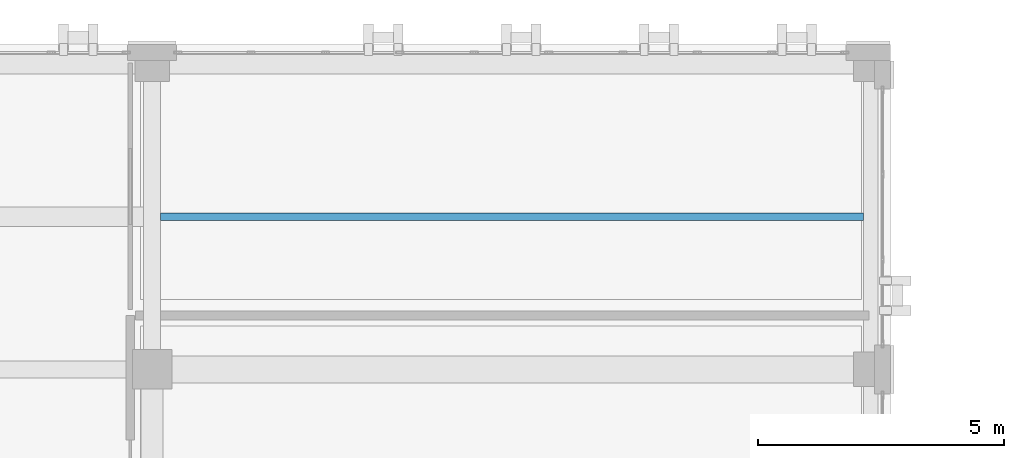
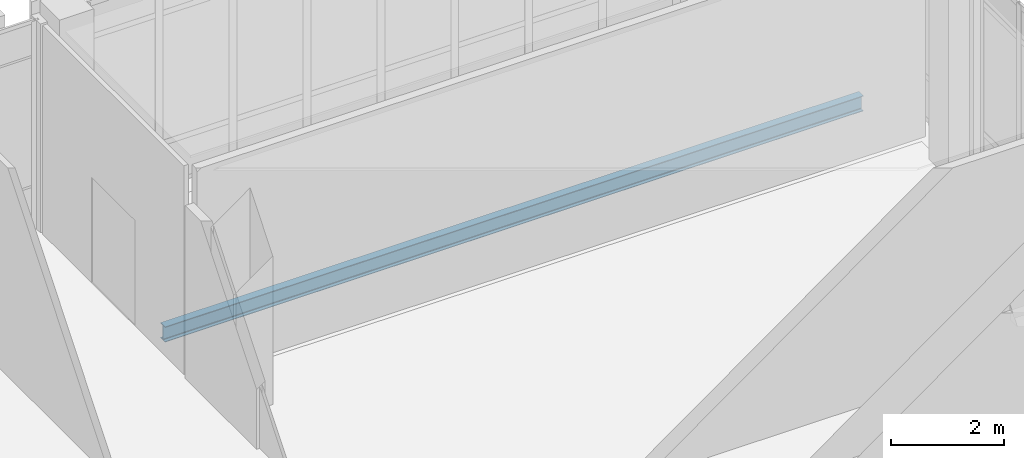
# One storey, part 108 of 189: 1 beam.
"""IFC4 building model written with IfcOpenShell, lengths in metres."""

from ifc_helpers import new_model, si_unit, direction, frame, origin, origin_2d, place, context, subcontext, project, spatial, i_section, extrude, material, material_profile, profile_set, type_object, element, save


model = new_model("IFC4")

# Units and contexts
model_context = context("Model", 3, precision=1e-05, world=origin(), true_north=direction((0.0, 1.0)))
body_context = subcontext(model_context, "Body", "Model", "MODEL_VIEW")
ifc_project = project(units=[si_unit("LENGTHUNIT", "METRE"), si_unit("AREAUNIT", "SQUARE_METRE"), si_unit("VOLUMEUNIT", "CUBIC_METRE"), si_unit("PLANEANGLEUNIT", "RADIAN"), si_unit("MASSUNIT", "GRAM", prefix="KILO")], contexts=[model_context])

# Site, building, storey
site_placement = place(None, origin())
site = spatial("IfcSite", under=ifc_project, at=site_placement, CompositionType="ELEMENT")
building_placement = place(site_placement, origin())
building = spatial("IfcBuilding", under=site, at=building_placement, Name="Qalavern Law Courts", CompositionType="ELEMENT")
storey_placement = place(building_placement, frame((0.0, 0.0, 5.39990234375)))
storey = spatial("IfcBuildingStorey", under=building, at=storey_placement, Name="L01", CompositionType="ELEMENT", Elevation=5.39990234375)

# Beam
ifc_material = material(Name="Steel S355", Category="steel")
ifc_material_profile = material_profile(ifc_material, i_section(OverallWidth=0.159912109375, OverallDepth=0.330078125, WebThickness=0.007568359375, FlangeThickness=0.011474609375, FilletRadius=0.01806640625, at=origin_2d()), Name="IPE 330")
ifc_profile_set = profile_set([ifc_material_profile], Name="Steel S355")
beam_type = type_object("IfcBeamType", Name="STR-JST-IPE330", PredefinedType="JOIST", material=ifc_profile_set)
beam_placement = place(storey_placement, frame((91.972900390625, 82.300048828125, -0.46484375), z_axis=(1.0, 0.0, 0.0), x_axis=(0.0, 1.0, 0.0)))
element("IfcBeam", 1, at=beam_placement, inside=storey, type_object=beam_type, Name="V4 secondary joist 2.6.1 L01", PredefinedType="JOIST", context=body_context, shape_type="SweptSolid", body=[
    extrude(i_section(OverallWidth=0.159912109375, OverallDepth=0.330078125, WebThickness=0.007568359375, FlangeThickness=0.011474609375, FilletRadius=0.01806640625, at=origin_2d()), origin(), (0.0, 0.0, 1.0), 14.279052734375),
])

save(model, "model.ifc")
